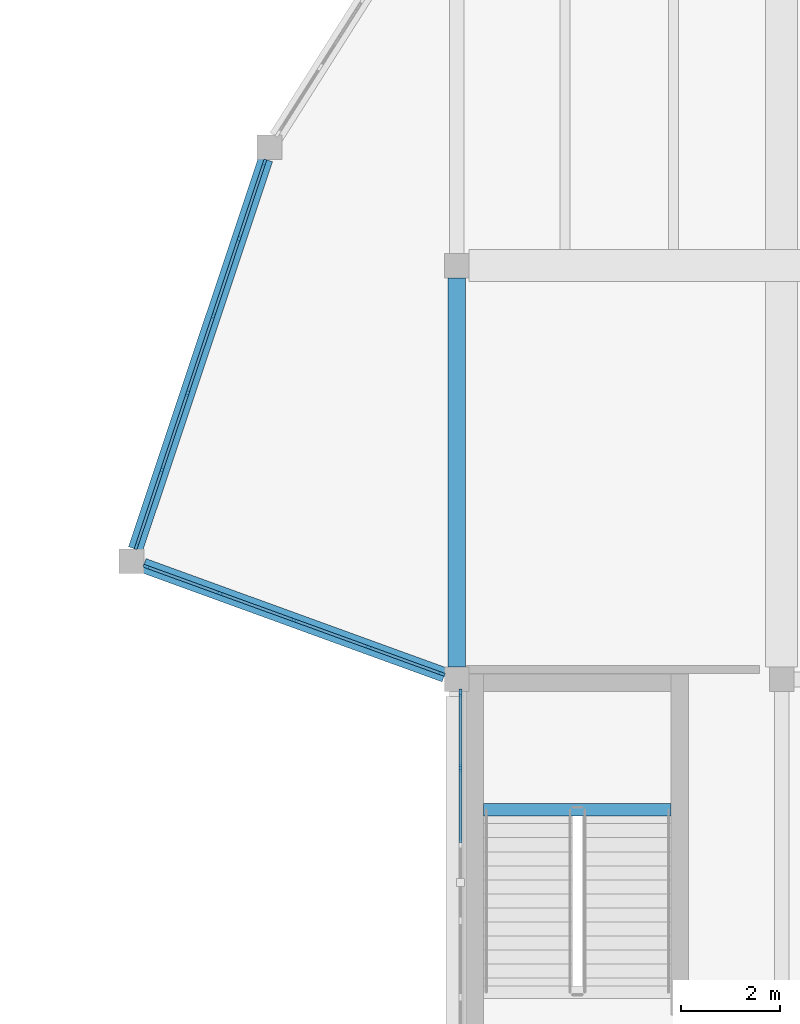
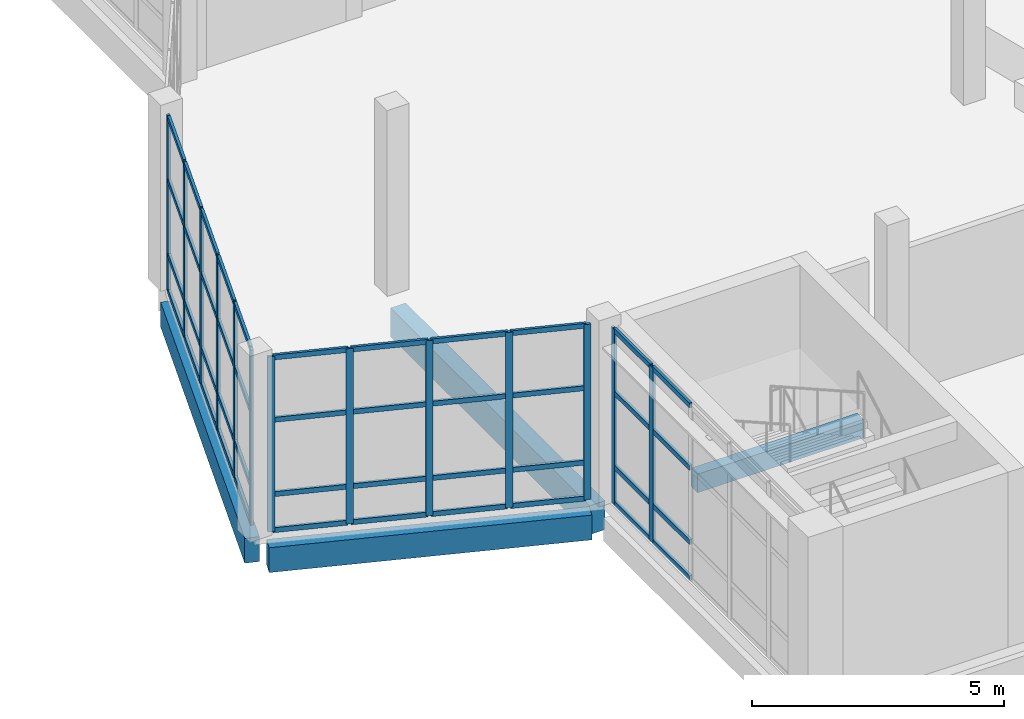
# One storey, part 22 of 76: 57 members, 4 beams, 3 elements without a shape of their own.
"""IFC4 building model written with IfcOpenShell, lengths in metres."""

from ifc_helpers import new_model, si_unit, direction, frame, origin, origin_2d, place, context, subcontext, project, spatial, rectangle, extrude, material, material_profile, profile_set, type_object, element, aggregate, save


model = new_model("IFC4")

# Units and contexts
model_context = context("Model", 3, precision=1e-05, world=origin(), true_north=direction((0.0, 1.0)))
body_context = subcontext(model_context, "Body", "Model", "MODEL_VIEW")
ifc_project = project(units=[si_unit("LENGTHUNIT", "METRE"), si_unit("AREAUNIT", "SQUARE_METRE"), si_unit("VOLUMEUNIT", "CUBIC_METRE"), si_unit("PLANEANGLEUNIT", "RADIAN"), si_unit("MASSUNIT", "GRAM", prefix="KILO")], contexts=[model_context])

# Site, building, storey
site_placement = place(None, origin())
site = spatial("IfcSite", under=ifc_project, at=site_placement, CompositionType="ELEMENT")
building_placement = place(site_placement, origin())
building = spatial("IfcBuilding", under=site, at=building_placement, Name="Qaldarim Faculty of Natural and Applied Sciences", CompositionType="ELEMENT")
storey_placement = place(building_placement, frame((0.0, 0.0, 9.89990234375)))
storey = spatial("IfcBuildingStorey", under=building, at=storey_placement, Name="L02", CompositionType="ELEMENT", Elevation=9.89990234375)

# Beam
ifc_material_1 = material(Name="Concrete C40/50", Category="concrete")
ifc_material_profile_1 = material_profile(ifc_material_1, rectangle(XDim=0.25, YDim=0.449951171875, at=origin_2d()), Name="RC-LN250x450")
ifc_profile_set_1 = profile_set([ifc_material_profile_1], Name="Concrete C40/50")
beam_type_1 = type_object("IfcBeamType", Name="LandingSupportBeam-RC250x450", PredefinedType="BEAM", material=ifc_profile_set_1)
beam_1_placement = place(storey_placement, frame((152.35009765625, 64.554931640625, 1.815185546875), z_axis=(1.0, 0.0, 0.0), x_axis=(0.0, 1.0, 0.0)))
element("IfcBeam", 1, at=beam_1_placement, inside=storey, type_object=beam_type_1, Name="Stair landing support beam ST-C1 L02", PredefinedType="BEAM", context=body_context, shape_type="SweptSolid", body=[
    extrude(rectangle(XDim=0.25, YDim=0.449951171875, at=origin_2d()), origin(), (0.0, 0.0, 1.0), 3.7998046875),
])

# Curtain wall, members
ifc_material_2 = material(Name="Anodised aluminium AW-6063", Category="aluminium")
curtain_wall_type = type_object("IfcCurtainWallType", Name="CurtainWallSystem-M1600", PredefinedType="USERDEFINED", material=ifc_material_2)
curtain_wall_1_placement = place(storey_placement, origin())
curtain_wall_1 = element("IfcCurtainWall", 2, at=curtain_wall_1_placement, inside=storey, type_object=curtain_wall_type, Name="Curtain wall CW-L02-W-X24Y08", ObjectType="UNITISED FACADE", PredefinedType="USERDEFINED")
ifc_material_profile_2 = material_profile(ifc_material_2, rectangle(XDim=0.06005859375, YDim=0.14990234375, at=origin_2d()), Name="ALU-M60x150")
ifc_profile_set_2 = profile_set([ifc_material_profile_2], Name="Anodised aluminium AW-6063")
member_type_1 = type_object("IfcMemberType", Name="Mullion-ALU60x150", PredefinedType="MULLION", material=ifc_profile_set_2)
member_1_placement = place(storey_placement, frame((151.8798828125, 66.925048828125, 0.0), z_axis=(0.0, 0.0, 1.0), x_axis=(1.0, 0.0, 0.0)))
member_1 = element("IfcMember", 3, at=member_1_placement, type_object=member_type_1, Name="Mullion 1 of CW-L02-W-X24Y08", PredefinedType="MULLION", context=body_context, shape_type="SweptSolid", body=[
    extrude(rectangle(XDim=0.06005859375, YDim=0.14990234375, at=origin_2d()), origin(), (0.0, 0.0, 1.0), 4.239990234375),
])
member_2_placement = place(storey_placement, frame((151.8798828125, 65.403076171875, 0.0), z_axis=(0.0, 0.0, 1.0), x_axis=(1.0, 0.0, 0.0)))
member_2 = element("IfcMember", 4, at=member_2_placement, type_object=member_type_1, Name="Mullion 2 of CW-L02-W-X24Y08", PredefinedType="MULLION", context=body_context, shape_type="SweptSolid", body=[
    extrude(rectangle(XDim=0.06005859375, YDim=0.14990234375, at=origin_2d()), origin(), (0.0, 0.0, 1.0), 4.239990234375),
])

curtain_wall_2_placement = place(storey_placement, origin())
curtain_wall_2 = element("IfcCurtainWall", 5, at=curtain_wall_2_placement, inside=storey, type_object=curtain_wall_type, Name="Curtain wall CW-PROW-L02-2", ObjectType="UNITISED FACADE", PredefinedType="USERDEFINED")
member_3_placement = place(storey_placement, frame((147.8955078125, 77.6865234375, 0.0), z_axis=(0.0, 0.0, 1.0), x_axis=(0.948683015593, -0.316228613389, 0.0)))
member_3 = element("IfcMember", 6, at=member_3_placement, type_object=member_type_1, Name="Mullion 1 of CW-PROW-L02-2", PredefinedType="MULLION", context=body_context, shape_type="SweptSolid", body=[
    extrude(rectangle(XDim=0.06005859375, YDim=0.14990234375, at=origin_2d()), origin(), (0.0, 0.0, 1.0), 4.239990234375),
])
member_4_placement = place(storey_placement, frame((147.383056640625, 76.14892578125, 0.0), z_axis=(0.0, 0.0, 1.0), x_axis=(0.948683015593, -0.316228613389, 0.0)))
member_4 = element("IfcMember", 7, at=member_4_placement, type_object=member_type_1, Name="Mullion 2 of CW-PROW-L02-2", PredefinedType="MULLION", context=body_context, shape_type="SweptSolid", body=[
    extrude(rectangle(XDim=0.06005859375, YDim=0.14990234375, at=origin_2d()), origin(), (0.0, 0.0, 1.0), 4.239990234375),
])
member_5_placement = place(storey_placement, frame((146.861083984375, 74.5830078125, 0.0), z_axis=(0.0, 0.0, 1.0), x_axis=(0.948683015593, -0.316228613389, 0.0)))
member_5 = element("IfcMember", 8, at=member_5_placement, type_object=member_type_1, Name="Mullion 3 of CW-PROW-L02-2", PredefinedType="MULLION", context=body_context, shape_type="SweptSolid", body=[
    extrude(rectangle(XDim=0.06005859375, YDim=0.14990234375, at=origin_2d()), origin(), (0.0, 0.0, 1.0), 4.239990234375),
])
member_6_placement = place(storey_placement, frame((146.339111328125, 73.01708984375, 0.0), z_axis=(0.0, 0.0, 1.0), x_axis=(0.948683015593, -0.316228613389, 0.0)))
member_6 = element("IfcMember", 9, at=member_6_placement, type_object=member_type_1, Name="Mullion 4 of CW-PROW-L02-2", PredefinedType="MULLION", context=body_context, shape_type="SweptSolid", body=[
    extrude(rectangle(XDim=0.06005859375, YDim=0.14990234375, at=origin_2d()), origin(), (0.0, 0.0, 1.0), 4.239990234375),
])
member_7_placement = place(storey_placement, frame((145.81689453125, 71.450927734375, 0.0), z_axis=(0.0, 0.0, 1.0), x_axis=(0.948683015593, -0.316228613389, 0.0)))
member_7 = element("IfcMember", 10, at=member_7_placement, type_object=member_type_1, Name="Mullion 5 of CW-PROW-L02-2", PredefinedType="MULLION", context=body_context, shape_type="SweptSolid", body=[
    extrude(rectangle(XDim=0.06005859375, YDim=0.14990234375, at=origin_2d()), origin(), (0.0, 0.0, 1.0), 4.239990234375),
])
member_8_placement = place(storey_placement, frame((145.304443359375, 69.91357421875, 0.0), z_axis=(0.0, 0.0, 1.0), x_axis=(0.948683015593, -0.316228613389, 0.0)))
member_8 = element("IfcMember", 11, at=member_8_placement, type_object=member_type_1, Name="Mullion 6 of CW-PROW-L02-2", PredefinedType="MULLION", context=body_context, shape_type="SweptSolid", body=[
    extrude(rectangle(XDim=0.06005859375, YDim=0.14990234375, at=origin_2d()), origin(), (0.0, 0.0, 1.0), 4.239990234375),
])

curtain_wall_3_placement = place(storey_placement, origin())
curtain_wall_3 = element("IfcCurtainWall", 12, at=curtain_wall_3_placement, inside=storey, type_object=curtain_wall_type, Name="Curtain wall CW-PROW-L02-3", ObjectType="UNITISED FACADE", PredefinedType="USERDEFINED")
member_9_placement = place(storey_placement, frame((145.50830078125, 69.48486328125, 0.0), z_axis=(0.0, 0.0, 1.0), x_axis=(0.340871837244, 0.94010977581, 0.0)))
member_9 = element("IfcMember", 13, at=member_9_placement, type_object=member_type_1, Name="Mullion 1 of CW-PROW-L02-3", PredefinedType="MULLION", context=body_context, shape_type="SweptSolid", body=[
    extrude(rectangle(XDim=0.06005859375, YDim=0.14990234375, at=origin_2d()), origin(), (0.0, 0.0, 1.0), 4.239990234375),
])
member_10_placement = place(storey_placement, frame((146.989990234375, 68.947509765625, 0.0), z_axis=(0.0, 0.0, 1.0), x_axis=(0.340871837244, 0.94010977581, 0.0)))
member_10 = element("IfcMember", 14, at=member_10_placement, type_object=member_type_1, Name="Mullion 2 of CW-PROW-L02-3", PredefinedType="MULLION", context=body_context, shape_type="SweptSolid", body=[
    extrude(rectangle(XDim=0.06005859375, YDim=0.14990234375, at=origin_2d()), origin(), (0.0, 0.0, 1.0), 4.239990234375),
])
member_11_placement = place(storey_placement, frame((148.5, 68.39990234375, 0.0), z_axis=(0.0, 0.0, 1.0), x_axis=(0.340871837244, 0.94010977581, 0.0)))
member_11 = element("IfcMember", 15, at=member_11_placement, type_object=member_type_1, Name="Mullion 3 of CW-PROW-L02-3", PredefinedType="MULLION", context=body_context, shape_type="SweptSolid", body=[
    extrude(rectangle(XDim=0.06005859375, YDim=0.14990234375, at=origin_2d()), origin(), (0.0, 0.0, 1.0), 4.239990234375),
])
member_12_placement = place(storey_placement, frame((150.010009765625, 67.8525390625, 0.0), z_axis=(0.0, 0.0, 1.0), x_axis=(0.340871837244, 0.94010977581, 0.0)))
member_12 = element("IfcMember", 16, at=member_12_placement, type_object=member_type_1, Name="Mullion 4 of CW-PROW-L02-3", PredefinedType="MULLION", context=body_context, shape_type="SweptSolid", body=[
    extrude(rectangle(XDim=0.06005859375, YDim=0.14990234375, at=origin_2d()), origin(), (0.0, 0.0, 1.0), 4.239990234375),
])
member_13_placement = place(storey_placement, frame((151.49169921875, 67.315185546875, 0.0), z_axis=(0.0, 0.0, 1.0), x_axis=(0.340871837244, 0.94010977581, 0.0)))
member_13 = element("IfcMember", 17, at=member_13_placement, type_object=member_type_1, Name="Mullion 5 of CW-PROW-L02-3", PredefinedType="MULLION", context=body_context, shape_type="SweptSolid", body=[
    extrude(rectangle(XDim=0.06005859375, YDim=0.14990234375, at=origin_2d()), origin(), (0.0, 0.0, 1.0), 4.239990234375),
])

# Beams
ifc_material_profile_3 = material_profile(ifc_material_1, rectangle(XDim=0.35009765625, YDim=0.699951171875, at=origin_2d()), Name="RC-B350x700")
ifc_profile_set_3 = profile_set([ifc_material_profile_3], Name="Concrete C40/50")
beam_type_2 = type_object("IfcBeamType", Name="PrimaryGirder-RC350x700", PredefinedType="BEAM", material=ifc_profile_set_3)
beam_2_placement = place(storey_placement, frame((151.800048828125, 67.449951171875, -0.64990234375), z_axis=(0.0, 1.0, 0.0), x_axis=(-1.0, 0.0, 0.0)))
element("IfcBeam", 18, at=beam_2_placement, inside=storey, type_object=beam_type_2, Name="Beam RC-B350x700 L01 X24/Y09-Y10", PredefinedType="BEAM", context=body_context, shape_type="SweptSolid", body=[
    extrude(rectangle(XDim=0.35009765625, YDim=0.699951171875, at=origin_2d()), origin(), (0.0, 0.0, 1.0), 7.900146484375),
])
ifc_material_3 = material(Name="Precast concrete C40/50", Category="concrete")
ifc_material_profile_4 = material_profile(ifc_material_3, rectangle(XDim=0.300048828125, YDim=0.60009765625, at=origin_2d()), Name="RC-SP300x600")
ifc_profile_set_4 = profile_set([ifc_material_profile_4], Name="Precast concrete C40/50")
beam_type_3 = type_object("IfcBeamType", Name="SpandrelBeam-RC300x600", PredefinedType="SPANDREL", material=ifc_profile_set_4)
beam_3_placement = place(storey_placement, frame((151.554931640625, 67.2900390625, -0.599853515625), z_axis=(-0.939882210861, 0.341498798983, 0.0), x_axis=(-0.341498798983, -0.939882210861, 0.0)))
element("IfcBeam", 19, at=beam_3_placement, inside=storey, type_object=beam_type_3, Name="Learning Commons angled prow spandrel L01 1", PredefinedType="SPANDREL", context=body_context, shape_type="SweptSolid", body=[
    extrude(rectangle(XDim=0.300048828125, YDim=0.60009765625, at=origin_2d()), origin(), (0.0, 0.0, 1.0), 6.500732421875),
])
beam_4_placement = place(storey_placement, frame((145.280029296875, 69.844970703125, -0.599853515625), z_axis=(0.316579075961, 0.948566122452, 0.0), x_axis=(-0.948566122452, 0.316579075961, 0.0)))
element("IfcBeam", 20, at=beam_4_placement, inside=storey, type_object=beam_type_3, Name="Learning Commons angled prow spandrel L01 2", PredefinedType="SPANDREL", context=body_context, shape_type="SweptSolid", body=[
    extrude(rectangle(XDim=0.300048828125, YDim=0.60009765625, at=origin_2d()), origin(), (0.0, 0.0, 1.0), 8.3388671875),
])

# Member
ifc_material_profile_5 = material_profile(ifc_material_2, rectangle(XDim=0.06005859375, YDim=0.1201171875, at=origin_2d()), Name="ALU-T60x120")
ifc_profile_set_5 = profile_set([ifc_material_profile_5], Name="Anodised aluminium AW-6063")
member_type_2 = type_object("IfcMemberType", Name="Transom-ALU60x120", PredefinedType="USERDEFINED", material=ifc_profile_set_5)
member_14_placement = place(storey_placement, frame((151.8798828125, 66.89501953125, 0.030029296875), z_axis=(0.0, -1.0, 0.0), x_axis=(1.0, 0.0, 0.0)))
member_14 = element("IfcMember", 21, at=member_14_placement, type_object=member_type_2, Name="Transom 1-1 of CW-L02-W-X24Y08", ObjectType="TRANSOM", PredefinedType="USERDEFINED", context=body_context, shape_type="SweptSolid", body=[
    extrude(rectangle(XDim=0.06005859375, YDim=0.1201171875, at=origin_2d()), origin(), (0.0, 0.0, 1.0), 1.4619140625),
])

member_15_placement = place(storey_placement, frame((151.8798828125, 66.89501953125, 0.900146484375), z_axis=(0.0, -1.0, 0.0), x_axis=(1.0, 0.0, 0.0)))
member_15 = element("IfcMember", 22, at=member_15_placement, type_object=member_type_2, Name="Transom 1-2 of CW-L02-W-X24Y08", ObjectType="TRANSOM", PredefinedType="USERDEFINED", context=body_context, shape_type="SweptSolid", body=[
    extrude(rectangle(XDim=0.06005859375, YDim=0.1201171875, at=origin_2d()), origin(), (0.0, 0.0, 1.0), 1.4619140625),
])

member_16_placement = place(storey_placement, frame((151.8798828125, 66.89501953125, 2.7001953125), z_axis=(0.0, -1.0, 0.0), x_axis=(1.0, 0.0, 0.0)))
member_16 = element("IfcMember", 23, at=member_16_placement, type_object=member_type_2, Name="Transom 1-3 of CW-L02-W-X24Y08", ObjectType="TRANSOM", PredefinedType="USERDEFINED", context=body_context, shape_type="SweptSolid", body=[
    extrude(rectangle(XDim=0.06005859375, YDim=0.1201171875, at=origin_2d()), origin(), (0.0, 0.0, 1.0), 1.4619140625),
])

member_17_placement = place(storey_placement, frame((151.8798828125, 66.89501953125, 4.210205078125), z_axis=(0.0, -1.0, 0.0), x_axis=(1.0, 0.0, 0.0)))
member_17 = element("IfcMember", 24, at=member_17_placement, type_object=member_type_2, Name="Transom 1-4 of CW-L02-W-X24Y08", ObjectType="TRANSOM", PredefinedType="USERDEFINED", context=body_context, shape_type="SweptSolid", body=[
    extrude(rectangle(XDim=0.06005859375, YDim=0.1201171875, at=origin_2d()), origin(), (0.0, 0.0, 1.0), 1.4619140625),
])

member_18_placement = place(storey_placement, frame((151.8798828125, 65.373046875, 0.030029296875), z_axis=(0.0, -1.0, 0.0), x_axis=(1.0, 0.0, 0.0)))
member_18 = element("IfcMember", 25, at=member_18_placement, type_object=member_type_2, Name="Transom 2-1 of CW-L02-W-X24Y08", ObjectType="TRANSOM", PredefinedType="USERDEFINED", context=body_context, shape_type="SweptSolid", body=[
    extrude(rectangle(XDim=0.06005859375, YDim=0.1201171875, at=origin_2d()), origin(), (0.0, 0.0, 1.0), 1.491943359375),
])

member_19_placement = place(storey_placement, frame((151.8798828125, 65.373046875, 0.900146484375), z_axis=(0.0, -1.0, 0.0), x_axis=(1.0, 0.0, 0.0)))
member_19 = element("IfcMember", 26, at=member_19_placement, type_object=member_type_2, Name="Transom 2-2 of CW-L02-W-X24Y08", ObjectType="TRANSOM", PredefinedType="USERDEFINED", context=body_context, shape_type="SweptSolid", body=[
    extrude(rectangle(XDim=0.06005859375, YDim=0.1201171875, at=origin_2d()), origin(), (0.0, 0.0, 1.0), 1.491943359375),
])

member_20_placement = place(storey_placement, frame((151.8798828125, 65.373046875, 2.7001953125), z_axis=(0.0, -1.0, 0.0), x_axis=(1.0, 0.0, 0.0)))
member_20 = element("IfcMember", 27, at=member_20_placement, type_object=member_type_2, Name="Transom 2-3 of CW-L02-W-X24Y08", ObjectType="TRANSOM", PredefinedType="USERDEFINED", context=body_context, shape_type="SweptSolid", body=[
    extrude(rectangle(XDim=0.06005859375, YDim=0.1201171875, at=origin_2d()), origin(), (0.0, 0.0, 1.0), 1.491943359375),
])

member_21_placement = place(storey_placement, frame((151.8798828125, 65.373046875, 4.210205078125), z_axis=(0.0, -1.0, 0.0), x_axis=(1.0, 0.0, 0.0)))
member_21 = element("IfcMember", 28, at=member_21_placement, type_object=member_type_2, Name="Transom 2-4 of CW-L02-W-X24Y08", ObjectType="TRANSOM", PredefinedType="USERDEFINED", context=body_context, shape_type="SweptSolid", body=[
    extrude(rectangle(XDim=0.06005859375, YDim=0.1201171875, at=origin_2d()), origin(), (0.0, 0.0, 1.0), 1.491943359375),
])

aggregate(curtain_wall_1, [member_1, member_2, member_14, member_15, member_16, member_17, member_18, member_19, member_20, member_21])

member_22_placement = place(storey_placement, frame((147.885986328125, 77.658203125, 0.030029296875), z_axis=(-0.316133909771, -0.948714578307, 0.0), x_axis=(0.948714578307, -0.316133909771, 0.0)))
member_22 = element("IfcMember", 29, at=member_22_placement, type_object=member_type_2, Name="Transom 1-1 of CW-PROW-L02-2", ObjectType="TRANSOM", PredefinedType="USERDEFINED", context=body_context, shape_type="SweptSolid", body=[
    extrude(rectangle(XDim=0.06005859375, YDim=0.1201171875, at=origin_2d()), origin(), (0.0, 0.0, 1.0), 1.560791015625),
])

member_23_placement = place(storey_placement, frame((147.885986328125, 77.658203125, 0.900146484375), z_axis=(-0.316133909771, -0.948714578307, 0.0), x_axis=(0.948714578307, -0.316133909771, 0.0)))
member_23 = element("IfcMember", 30, at=member_23_placement, type_object=member_type_2, Name="Transom 1-2 of CW-PROW-L02-2", ObjectType="TRANSOM", PredefinedType="USERDEFINED", context=body_context, shape_type="SweptSolid", body=[
    extrude(rectangle(XDim=0.06005859375, YDim=0.1201171875, at=origin_2d()), origin(), (0.0, 0.0, 1.0), 1.560791015625),
])

member_24_placement = place(storey_placement, frame((147.885986328125, 77.658203125, 2.7001953125), z_axis=(-0.316133909771, -0.948714578307, 0.0), x_axis=(0.948714578307, -0.316133909771, 0.0)))
member_24 = element("IfcMember", 31, at=member_24_placement, type_object=member_type_2, Name="Transom 1-3 of CW-PROW-L02-2", ObjectType="TRANSOM", PredefinedType="USERDEFINED", context=body_context, shape_type="SweptSolid", body=[
    extrude(rectangle(XDim=0.06005859375, YDim=0.1201171875, at=origin_2d()), origin(), (0.0, 0.0, 1.0), 1.560791015625),
])

member_25_placement = place(storey_placement, frame((147.885986328125, 77.658203125, 4.210205078125), z_axis=(-0.316133909771, -0.948714578307, 0.0), x_axis=(0.948714578307, -0.316133909771, 0.0)))
member_25 = element("IfcMember", 32, at=member_25_placement, type_object=member_type_2, Name="Transom 1-4 of CW-PROW-L02-2", ObjectType="TRANSOM", PredefinedType="USERDEFINED", context=body_context, shape_type="SweptSolid", body=[
    extrude(rectangle(XDim=0.06005859375, YDim=0.1201171875, at=origin_2d()), origin(), (0.0, 0.0, 1.0), 1.560791015625),
])

member_26_placement = place(storey_placement, frame((147.37353515625, 76.12060546875, 0.030029296875), z_axis=(-0.316181719763, -0.94869864556, 0.0), x_axis=(0.94869864556, -0.316181719763, 0.0)))
member_26 = element("IfcMember", 33, at=member_26_placement, type_object=member_type_2, Name="Transom 2-1 of CW-PROW-L02-2", ObjectType="TRANSOM", PredefinedType="USERDEFINED", context=body_context, shape_type="SweptSolid", body=[
    extrude(rectangle(XDim=0.06005859375, YDim=0.1201171875, at=origin_2d()), origin(), (0.0, 0.0, 1.0), 1.590576171875),
])

member_27_placement = place(storey_placement, frame((147.37353515625, 76.12060546875, 0.900146484375), z_axis=(-0.316181719763, -0.94869864556, 0.0), x_axis=(0.94869864556, -0.316181719763, 0.0)))
member_27 = element("IfcMember", 34, at=member_27_placement, type_object=member_type_2, Name="Transom 2-2 of CW-PROW-L02-2", ObjectType="TRANSOM", PredefinedType="USERDEFINED", context=body_context, shape_type="SweptSolid", body=[
    extrude(rectangle(XDim=0.06005859375, YDim=0.1201171875, at=origin_2d()), origin(), (0.0, 0.0, 1.0), 1.590576171875),
])

member_28_placement = place(storey_placement, frame((147.37353515625, 76.12060546875, 2.7001953125), z_axis=(-0.316181719763, -0.94869864556, 0.0), x_axis=(0.94869864556, -0.316181719763, 0.0)))
member_28 = element("IfcMember", 35, at=member_28_placement, type_object=member_type_2, Name="Transom 2-3 of CW-PROW-L02-2", ObjectType="TRANSOM", PredefinedType="USERDEFINED", context=body_context, shape_type="SweptSolid", body=[
    extrude(rectangle(XDim=0.06005859375, YDim=0.1201171875, at=origin_2d()), origin(), (0.0, 0.0, 1.0), 1.590576171875),
])

member_29_placement = place(storey_placement, frame((147.37353515625, 76.12060546875, 4.210205078125), z_axis=(-0.316181719763, -0.94869864556, 0.0), x_axis=(0.94869864556, -0.316181719763, 0.0)))
member_29 = element("IfcMember", 36, at=member_29_placement, type_object=member_type_2, Name="Transom 2-4 of CW-PROW-L02-2", ObjectType="TRANSOM", PredefinedType="USERDEFINED", context=body_context, shape_type="SweptSolid", body=[
    extrude(rectangle(XDim=0.06005859375, YDim=0.1201171875, at=origin_2d()), origin(), (0.0, 0.0, 1.0), 1.590576171875),
])

member_30_placement = place(storey_placement, frame((146.8515625, 74.554443359375, 0.030029296875), z_axis=(-0.31631985182, -0.948652597817, 0.0), x_axis=(0.948652597817, -0.31631985182, 0.0)))
member_30 = element("IfcMember", 37, at=member_30_placement, type_object=member_type_2, Name="Transom 3-1 of CW-PROW-L02-2", ObjectType="TRANSOM", PredefinedType="USERDEFINED", context=body_context, shape_type="SweptSolid", body=[
    extrude(rectangle(XDim=0.06005859375, YDim=0.1201171875, at=origin_2d()), origin(), (0.0, 0.0, 1.0), 1.5908203125),
])

member_31_placement = place(storey_placement, frame((146.8515625, 74.554443359375, 0.900146484375), z_axis=(-0.31631985182, -0.948652597817, 0.0), x_axis=(0.948652597817, -0.31631985182, 0.0)))
member_31 = element("IfcMember", 38, at=member_31_placement, type_object=member_type_2, Name="Transom 3-2 of CW-PROW-L02-2", ObjectType="TRANSOM", PredefinedType="USERDEFINED", context=body_context, shape_type="SweptSolid", body=[
    extrude(rectangle(XDim=0.06005859375, YDim=0.1201171875, at=origin_2d()), origin(), (0.0, 0.0, 1.0), 1.5908203125),
])

member_32_placement = place(storey_placement, frame((146.8515625, 74.554443359375, 2.7001953125), z_axis=(-0.31631985182, -0.948652597817, 0.0), x_axis=(0.948652597817, -0.31631985182, 0.0)))
member_32 = element("IfcMember", 39, at=member_32_placement, type_object=member_type_2, Name="Transom 3-3 of CW-PROW-L02-2", ObjectType="TRANSOM", PredefinedType="USERDEFINED", context=body_context, shape_type="SweptSolid", body=[
    extrude(rectangle(XDim=0.06005859375, YDim=0.1201171875, at=origin_2d()), origin(), (0.0, 0.0, 1.0), 1.5908203125),
])

member_33_placement = place(storey_placement, frame((146.8515625, 74.554443359375, 4.210205078125), z_axis=(-0.31631985182, -0.948652597817, 0.0), x_axis=(0.948652597817, -0.31631985182, 0.0)))
member_33 = element("IfcMember", 40, at=member_33_placement, type_object=member_type_2, Name="Transom 3-4 of CW-PROW-L02-2", ObjectType="TRANSOM", PredefinedType="USERDEFINED", context=body_context, shape_type="SweptSolid", body=[
    extrude(rectangle(XDim=0.06005859375, YDim=0.1201171875, at=origin_2d()), origin(), (0.0, 0.0, 1.0), 1.5908203125),
])

member_34_placement = place(storey_placement, frame((146.32958984375, 72.988525390625, 0.030029296875), z_axis=(-0.31631985182, -0.948652597817, 0.0), x_axis=(0.948652597817, -0.31631985182, 0.0)))
member_34 = element("IfcMember", 41, at=member_34_placement, type_object=member_type_2, Name="Transom 4-1 of CW-PROW-L02-2", ObjectType="TRANSOM", PredefinedType="USERDEFINED", context=body_context, shape_type="SweptSolid", body=[
    extrude(rectangle(XDim=0.06005859375, YDim=0.1201171875, at=origin_2d()), origin(), (0.0, 0.0, 1.0), 1.5908203125),
])

member_35_placement = place(storey_placement, frame((146.32958984375, 72.988525390625, 0.900146484375), z_axis=(-0.31631985182, -0.948652597817, 0.0), x_axis=(0.948652597817, -0.31631985182, 0.0)))
member_35 = element("IfcMember", 42, at=member_35_placement, type_object=member_type_2, Name="Transom 4-2 of CW-PROW-L02-2", ObjectType="TRANSOM", PredefinedType="USERDEFINED", context=body_context, shape_type="SweptSolid", body=[
    extrude(rectangle(XDim=0.06005859375, YDim=0.1201171875, at=origin_2d()), origin(), (0.0, 0.0, 1.0), 1.5908203125),
])

member_36_placement = place(storey_placement, frame((146.32958984375, 72.988525390625, 2.7001953125), z_axis=(-0.31631985182, -0.948652597817, 0.0), x_axis=(0.948652597817, -0.31631985182, 0.0)))
member_36 = element("IfcMember", 43, at=member_36_placement, type_object=member_type_2, Name="Transom 4-3 of CW-PROW-L02-2", ObjectType="TRANSOM", PredefinedType="USERDEFINED", context=body_context, shape_type="SweptSolid", body=[
    extrude(rectangle(XDim=0.06005859375, YDim=0.1201171875, at=origin_2d()), origin(), (0.0, 0.0, 1.0), 1.5908203125),
])

member_37_placement = place(storey_placement, frame((146.32958984375, 72.988525390625, 4.210205078125), z_axis=(-0.31631985182, -0.948652597817, 0.0), x_axis=(0.948652597817, -0.31631985182, 0.0)))
member_37 = element("IfcMember", 44, at=member_37_placement, type_object=member_type_2, Name="Transom 4-4 of CW-PROW-L02-2", ObjectType="TRANSOM", PredefinedType="USERDEFINED", context=body_context, shape_type="SweptSolid", body=[
    extrude(rectangle(XDim=0.06005859375, YDim=0.1201171875, at=origin_2d()), origin(), (0.0, 0.0, 1.0), 1.5908203125),
])

member_38_placement = place(storey_placement, frame((145.8076171875, 71.422607421875, 0.030029296875), z_axis=(-0.316274690658, -0.948667655214, 0.0), x_axis=(0.948667655214, -0.316274690658, 0.0)))
member_38 = element("IfcMember", 45, at=member_38_placement, type_object=member_type_2, Name="Transom 5-1 of CW-PROW-L02-2", ObjectType="TRANSOM", PredefinedType="USERDEFINED", context=body_context, shape_type="SweptSolid", body=[
    extrude(rectangle(XDim=0.06005859375, YDim=0.1201171875, at=origin_2d()), origin(), (0.0, 0.0, 1.0), 1.560791015625),
])

member_39_placement = place(storey_placement, frame((145.8076171875, 71.422607421875, 0.900146484375), z_axis=(-0.316274690658, -0.948667655214, 0.0), x_axis=(0.948667655214, -0.316274690658, 0.0)))
member_39 = element("IfcMember", 46, at=member_39_placement, type_object=member_type_2, Name="Transom 5-2 of CW-PROW-L02-2", ObjectType="TRANSOM", PredefinedType="USERDEFINED", context=body_context, shape_type="SweptSolid", body=[
    extrude(rectangle(XDim=0.06005859375, YDim=0.1201171875, at=origin_2d()), origin(), (0.0, 0.0, 1.0), 1.560791015625),
])

member_40_placement = place(storey_placement, frame((145.8076171875, 71.422607421875, 2.7001953125), z_axis=(-0.316274690658, -0.948667655214, 0.0), x_axis=(0.948667655214, -0.316274690658, 0.0)))
member_40 = element("IfcMember", 47, at=member_40_placement, type_object=member_type_2, Name="Transom 5-3 of CW-PROW-L02-2", ObjectType="TRANSOM", PredefinedType="USERDEFINED", context=body_context, shape_type="SweptSolid", body=[
    extrude(rectangle(XDim=0.06005859375, YDim=0.1201171875, at=origin_2d()), origin(), (0.0, 0.0, 1.0), 1.560791015625),
])

member_41_placement = place(storey_placement, frame((145.8076171875, 71.422607421875, 4.210205078125), z_axis=(-0.316274690658, -0.948667655214, 0.0), x_axis=(0.948667655214, -0.316274690658, 0.0)))
member_41 = element("IfcMember", 48, at=member_41_placement, type_object=member_type_2, Name="Transom 5-4 of CW-PROW-L02-2", ObjectType="TRANSOM", PredefinedType="USERDEFINED", context=body_context, shape_type="SweptSolid", body=[
    extrude(rectangle(XDim=0.06005859375, YDim=0.1201171875, at=origin_2d()), origin(), (0.0, 0.0, 1.0), 1.560791015625),
])

aggregate(curtain_wall_2, [member_3, member_4, member_5, member_6, member_7, member_8, member_22, member_23, member_24, member_25, member_26, member_27, member_28, member_29, member_30, member_31, member_32, member_33, member_34, member_35, member_36, member_37, member_38, member_39, member_40, member_41])

member_42_placement = place(storey_placement, frame((145.536376953125, 69.474609375, 0.030029296875), z_axis=(0.940117363771, -0.340850909249, 0.0), x_axis=(0.340850909249, 0.940117363771, 0.0)))
member_42 = element("IfcMember", 49, at=member_42_placement, type_object=member_type_2, Name="Transom 1-1 of CW-PROW-L02-3", ObjectType="TRANSOM", PredefinedType="USERDEFINED", context=body_context, shape_type="SweptSolid", body=[
    extrude(rectangle(XDim=0.06005859375, YDim=0.1201171875, at=origin_2d()), origin(), (0.0, 0.0, 1.0), 1.516357421875),
])

member_43_placement = place(storey_placement, frame((145.536376953125, 69.474609375, 0.900146484375), z_axis=(0.940117363771, -0.340850909249, 0.0), x_axis=(0.340850909249, 0.940117363771, 0.0)))
member_43 = element("IfcMember", 50, at=member_43_placement, type_object=member_type_2, Name="Transom 1-2 of CW-PROW-L02-3", ObjectType="TRANSOM", PredefinedType="USERDEFINED", context=body_context, shape_type="SweptSolid", body=[
    extrude(rectangle(XDim=0.06005859375, YDim=0.1201171875, at=origin_2d()), origin(), (0.0, 0.0, 1.0), 1.516357421875),
])

member_44_placement = place(storey_placement, frame((145.536376953125, 69.474609375, 2.7001953125), z_axis=(0.940117363771, -0.340850909249, 0.0), x_axis=(0.340850909249, 0.940117363771, 0.0)))
member_44 = element("IfcMember", 51, at=member_44_placement, type_object=member_type_2, Name="Transom 1-3 of CW-PROW-L02-3", ObjectType="TRANSOM", PredefinedType="USERDEFINED", context=body_context, shape_type="SweptSolid", body=[
    extrude(rectangle(XDim=0.06005859375, YDim=0.1201171875, at=origin_2d()), origin(), (0.0, 0.0, 1.0), 1.516357421875),
])

member_45_placement = place(storey_placement, frame((145.536376953125, 69.474609375, 4.210205078125), z_axis=(0.940117363771, -0.340850909249, 0.0), x_axis=(0.340850909249, 0.940117363771, 0.0)))
member_45 = element("IfcMember", 52, at=member_45_placement, type_object=member_type_2, Name="Transom 1-4 of CW-PROW-L02-3", ObjectType="TRANSOM", PredefinedType="USERDEFINED", context=body_context, shape_type="SweptSolid", body=[
    extrude(rectangle(XDim=0.06005859375, YDim=0.1201171875, at=origin_2d()), origin(), (0.0, 0.0, 1.0), 1.516357421875),
])

member_46_placement = place(storey_placement, frame((147.018310546875, 68.937255859375, 0.030029296875), z_axis=(0.940083560197, -0.340944130097, 0.0), x_axis=(0.340944130097, 0.940083560197, 0.0)))
member_46 = element("IfcMember", 53, at=member_46_placement, type_object=member_type_2, Name="Transom 2-1 of CW-PROW-L02-3", ObjectType="TRANSOM", PredefinedType="USERDEFINED", context=body_context, shape_type="SweptSolid", body=[
    extrude(rectangle(XDim=0.06005859375, YDim=0.1201171875, at=origin_2d()), origin(), (0.0, 0.0, 1.0), 1.5458984375),
])

member_47_placement = place(storey_placement, frame((147.018310546875, 68.937255859375, 0.900146484375), z_axis=(0.940083560197, -0.340944130097, 0.0), x_axis=(0.340944130097, 0.940083560197, 0.0)))
member_47 = element("IfcMember", 54, at=member_47_placement, type_object=member_type_2, Name="Transom 2-2 of CW-PROW-L02-3", ObjectType="TRANSOM", PredefinedType="USERDEFINED", context=body_context, shape_type="SweptSolid", body=[
    extrude(rectangle(XDim=0.06005859375, YDim=0.1201171875, at=origin_2d()), origin(), (0.0, 0.0, 1.0), 1.5458984375),
])

member_48_placement = place(storey_placement, frame((147.018310546875, 68.937255859375, 2.7001953125), z_axis=(0.940083560197, -0.340944130097, 0.0), x_axis=(0.340944130097, 0.940083560197, 0.0)))
member_48 = element("IfcMember", 55, at=member_48_placement, type_object=member_type_2, Name="Transom 2-3 of CW-PROW-L02-3", ObjectType="TRANSOM", PredefinedType="USERDEFINED", context=body_context, shape_type="SweptSolid", body=[
    extrude(rectangle(XDim=0.06005859375, YDim=0.1201171875, at=origin_2d()), origin(), (0.0, 0.0, 1.0), 1.5458984375),
])

member_49_placement = place(storey_placement, frame((147.018310546875, 68.937255859375, 4.210205078125), z_axis=(0.940083560197, -0.340944130097, 0.0), x_axis=(0.340944130097, 0.940083560197, 0.0)))
member_49 = element("IfcMember", 56, at=member_49_placement, type_object=member_type_2, Name="Transom 2-4 of CW-PROW-L02-3", ObjectType="TRANSOM", PredefinedType="USERDEFINED", context=body_context, shape_type="SweptSolid", body=[
    extrude(rectangle(XDim=0.06005859375, YDim=0.1201171875, at=origin_2d()), origin(), (0.0, 0.0, 1.0), 1.5458984375),
])

member_50_placement = place(storey_placement, frame((148.5283203125, 68.389892578125, 0.030029296875), z_axis=(0.940083560197, -0.340944130097, 0.0), x_axis=(0.340944130097, 0.940083560197, 0.0)))
member_50 = element("IfcMember", 57, at=member_50_placement, type_object=member_type_2, Name="Transom 3-1 of CW-PROW-L02-3", ObjectType="TRANSOM", PredefinedType="USERDEFINED", context=body_context, shape_type="SweptSolid", body=[
    extrude(rectangle(XDim=0.06005859375, YDim=0.1201171875, at=origin_2d()), origin(), (0.0, 0.0, 1.0), 1.5458984375),
])

member_51_placement = place(storey_placement, frame((148.5283203125, 68.389892578125, 0.900146484375), z_axis=(0.940083560197, -0.340944130097, 0.0), x_axis=(0.340944130097, 0.940083560197, 0.0)))
member_51 = element("IfcMember", 58, at=member_51_placement, type_object=member_type_2, Name="Transom 3-2 of CW-PROW-L02-3", ObjectType="TRANSOM", PredefinedType="USERDEFINED", context=body_context, shape_type="SweptSolid", body=[
    extrude(rectangle(XDim=0.06005859375, YDim=0.1201171875, at=origin_2d()), origin(), (0.0, 0.0, 1.0), 1.5458984375),
])

member_52_placement = place(storey_placement, frame((148.5283203125, 68.389892578125, 2.7001953125), z_axis=(0.940083560197, -0.340944130097, 0.0), x_axis=(0.340944130097, 0.940083560197, 0.0)))
member_52 = element("IfcMember", 59, at=member_52_placement, type_object=member_type_2, Name="Transom 3-3 of CW-PROW-L02-3", ObjectType="TRANSOM", PredefinedType="USERDEFINED", context=body_context, shape_type="SweptSolid", body=[
    extrude(rectangle(XDim=0.06005859375, YDim=0.1201171875, at=origin_2d()), origin(), (0.0, 0.0, 1.0), 1.5458984375),
])

member_53_placement = place(storey_placement, frame((148.5283203125, 68.389892578125, 4.210205078125), z_axis=(0.940083560197, -0.340944130097, 0.0), x_axis=(0.340944130097, 0.940083560197, 0.0)))
member_53 = element("IfcMember", 60, at=member_53_placement, type_object=member_type_2, Name="Transom 3-4 of CW-PROW-L02-3", ObjectType="TRANSOM", PredefinedType="USERDEFINED", context=body_context, shape_type="SweptSolid", body=[
    extrude(rectangle(XDim=0.06005859375, YDim=0.1201171875, at=origin_2d()), origin(), (0.0, 0.0, 1.0), 1.5458984375),
])

member_54_placement = place(storey_placement, frame((150.0380859375, 67.84228515625, 0.030029296875), z_axis=(0.940117363771, -0.340850909249, 0.0), x_axis=(0.340850909249, 0.940117363771, 0.0)))
member_54 = element("IfcMember", 61, at=member_54_placement, type_object=member_type_2, Name="Transom 4-1 of CW-PROW-L02-3", ObjectType="TRANSOM", PredefinedType="USERDEFINED", context=body_context, shape_type="SweptSolid", body=[
    extrude(rectangle(XDim=0.06005859375, YDim=0.1201171875, at=origin_2d()), origin(), (0.0, 0.0, 1.0), 1.516357421875),
])

member_55_placement = place(storey_placement, frame((150.0380859375, 67.84228515625, 0.900146484375), z_axis=(0.940117363771, -0.340850909249, 0.0), x_axis=(0.340850909249, 0.940117363771, 0.0)))
member_55 = element("IfcMember", 62, at=member_55_placement, type_object=member_type_2, Name="Transom 4-2 of CW-PROW-L02-3", ObjectType="TRANSOM", PredefinedType="USERDEFINED", context=body_context, shape_type="SweptSolid", body=[
    extrude(rectangle(XDim=0.06005859375, YDim=0.1201171875, at=origin_2d()), origin(), (0.0, 0.0, 1.0), 1.516357421875),
])

member_56_placement = place(storey_placement, frame((150.0380859375, 67.84228515625, 2.7001953125), z_axis=(0.940117363771, -0.340850909249, 0.0), x_axis=(0.340850909249, 0.940117363771, 0.0)))
member_56 = element("IfcMember", 63, at=member_56_placement, type_object=member_type_2, Name="Transom 4-3 of CW-PROW-L02-3", ObjectType="TRANSOM", PredefinedType="USERDEFINED", context=body_context, shape_type="SweptSolid", body=[
    extrude(rectangle(XDim=0.06005859375, YDim=0.1201171875, at=origin_2d()), origin(), (0.0, 0.0, 1.0), 1.516357421875),
])

member_57_placement = place(storey_placement, frame((150.0380859375, 67.84228515625, 4.210205078125), z_axis=(0.940117363771, -0.340850909249, 0.0), x_axis=(0.340850909249, 0.940117363771, 0.0)))
member_57 = element("IfcMember", 64, at=member_57_placement, type_object=member_type_2, Name="Transom 4-4 of CW-PROW-L02-3", ObjectType="TRANSOM", PredefinedType="USERDEFINED", context=body_context, shape_type="SweptSolid", body=[
    extrude(rectangle(XDim=0.06005859375, YDim=0.1201171875, at=origin_2d()), origin(), (0.0, 0.0, 1.0), 1.516357421875),
])

aggregate(curtain_wall_3, [member_9, member_10, member_11, member_12, member_13, member_42, member_43, member_44, member_45, member_46, member_47, member_48, member_49, member_50, member_51, member_52, member_53, member_54, member_55, member_56, member_57])

save(model, "model.ifc")
